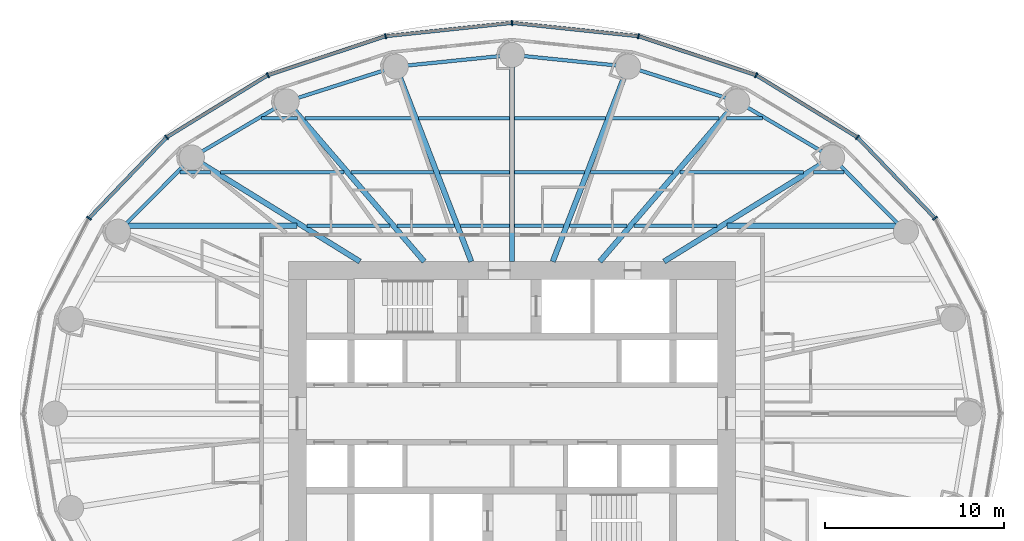
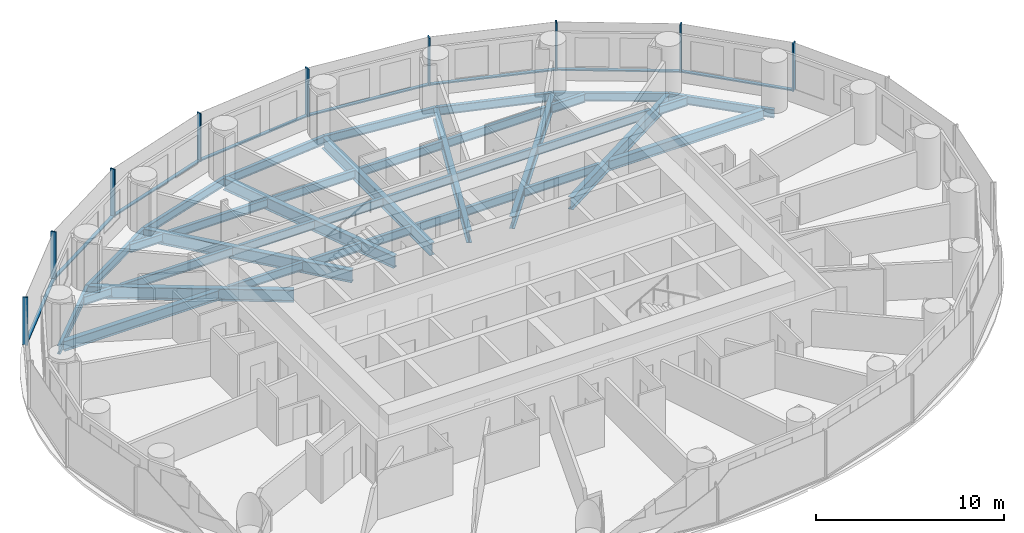
# One storey, part 4 of 14: 37 beams, 17 members, 2 elements without a shape of their own.
"""IFC4 building model written with IfcOpenShell, lengths in metres."""

from ifc_helpers import new_model, si_unit, direction, frame, origin, origin_2d, place, context, subcontext, project, spatial, rectangle, i_section, extrude, material, material_profile, profile_set, type_object, element, aggregate, save


model = new_model("IFC4")

# Units and contexts
model_context = context("Model", 3, precision=1e-05, world=origin(), true_north=direction((0.0, 1.0)))
body_context = subcontext(model_context, "Body", "Model", "MODEL_VIEW")
ifc_project = project(units=[si_unit("LENGTHUNIT", "METRE"), si_unit("AREAUNIT", "SQUARE_METRE"), si_unit("VOLUMEUNIT", "CUBIC_METRE"), si_unit("PLANEANGLEUNIT", "RADIAN"), si_unit("MASSUNIT", "GRAM", prefix="KILO")], contexts=[model_context])

# Site, building, storey
site_placement = place(None, origin())
site = spatial("IfcSite", under=ifc_project, at=site_placement, CompositionType="ELEMENT")
building_placement = place(site_placement, origin())
building = spatial("IfcBuilding", under=site, at=building_placement, Name="Hankou Lantern Tower", CompositionType="ELEMENT")
storey_placement = place(building_placement, frame((0.0, 0.0, 67.199951171875)))
storey = spatial("IfcBuildingStorey", under=building, at=storey_placement, Name="L16", CompositionType="ELEMENT", Elevation=67.199951171875)

# Beams
ifc_material_1 = material(Name="Steel Q355B", Category="steel")
ifc_material_profile_1 = material_profile(ifc_material_1, i_section(OverallWidth=0.199951171875, OverallDepth=0.550048828125, WebThickness=0.010009765625, FlangeThickness=0.01611328125, FilletRadius=0.012939453125, at=origin_2d()), Name="HN550x200x10x16")
ifc_profile_set_1 = profile_set([ifc_material_profile_1], Name="Steel Q355B")
beam_type_1 = type_object("IfcBeamType", Name="EB6 RING BEAM HN550x200x10x16", PredefinedType="SPANDREL", material=ifc_profile_set_1)
beam_1_placement = place(storey_placement, frame((22.01904296875, 10.170166015625, -0.454833984375), z_axis=(-0.705727798394, 0.708483079949, 0.0), x_axis=(-0.708483079949, -0.705727798394, 0.0)))
element("IfcBeam", 1, at=beam_1_placement, inside=storey, type_object=beam_type_1, Name="Ring beam R03-R04 L16", PredefinedType="SPANDREL", context=body_context, shape_type="SweptSolid", body=[
    extrude(i_section(OverallWidth=0.199951171875, OverallDepth=0.550048828125, WebThickness=0.010009765625, FlangeThickness=0.01611328125, FilletRadius=0.012939453125, at=origin_2d()), origin(), (0.0, 0.0, 1.0), 5.84814453125),
])
beam_2_placement = place(storey_placement, frame((17.891845703125, 14.3134765625, -0.454833984375), z_axis=(-0.860881533543, 0.508805449268, 0.0), x_axis=(-0.508805449268, -0.860881533543, 0.0)))
element("IfcBeam", 2, at=beam_2_placement, inside=storey, type_object=beam_type_1, Name="Ring beam R04-R05 L16", PredefinedType="SPANDREL", context=body_context, shape_type="SweptSolid", body=[
    extrude(i_section(OverallWidth=0.199951171875, OverallDepth=0.550048828125, WebThickness=0.010009765625, FlangeThickness=0.01611328125, FilletRadius=0.012939453125, at=origin_2d()), origin(), (0.0, 0.0, 1.0), 6.15771484375),
])
beam_3_placement = place(storey_placement, frame((12.5908203125, 17.446533203125, -0.454833984375), z_axis=(-0.952690479428, 0.303942182671, 0.0), x_axis=(-0.303942182671, -0.952690479428, 0.0)))
element("IfcBeam", 3, at=beam_3_placement, inside=storey, type_object=beam_type_1, Name="Ring beam R05-R06 L16", PredefinedType="SPANDREL", context=body_context, shape_type="SweptSolid", body=[
    extrude(i_section(OverallWidth=0.199951171875, OverallDepth=0.550048828125, WebThickness=0.010009765625, FlangeThickness=0.01611328125, FilletRadius=0.012939453125, at=origin_2d()), origin(), (0.0, 0.0, 1.0), 6.398681640625),
])
for number, where, z_axis, x_axis, name in (
    (4, (6.494873046875, 19.391357421875, -0.454833984375), (-0.994896616842, 0.100899562915, 0.0), (-0.100899562915, -0.994896616842, 0.0), "Ring beam R06-R07 L16"),
    (5, (0.0, 20.050048828125, -0.454833984375), (-0.994896616842, -0.100899562915, 0.0), (0.100899562915, -0.994896616842, 0.0), "Ring beam R07-R08 L16"),
):
    element("IfcBeam", number, at=place(storey_placement, frame(where, z_axis=z_axis, x_axis=x_axis)), inside=storey, type_object=beam_type_1, Name=name, PredefinedType="SPANDREL", context=body_context, shape_type="SweptSolid", body=[
        extrude(i_section(OverallWidth=0.199951171875, OverallDepth=0.550048828125, WebThickness=0.010009765625, FlangeThickness=0.01611328125, FilletRadius=0.012939453125, at=origin_2d()), origin(), (0.0, 0.0, 1.0), 6.528076171875),
    ])
beam_4_placement = place(storey_placement, frame((-6.494873046875, 19.391357421875, -0.454833984375), z_axis=(-0.952690479428, -0.303942182671, 0.0), x_axis=(0.303942182671, -0.952690479428, 0.0)))
element("IfcBeam", 6, at=beam_4_placement, inside=storey, type_object=beam_type_1, Name="Ring beam R08-R09 L16", PredefinedType="SPANDREL", context=body_context, shape_type="SweptSolid", body=[
    extrude(i_section(OverallWidth=0.199951171875, OverallDepth=0.550048828125, WebThickness=0.010009765625, FlangeThickness=0.01611328125, FilletRadius=0.012939453125, at=origin_2d()), origin(), (0.0, 0.0, 1.0), 6.398681640625),
])
beam_5_placement = place(storey_placement, frame((-12.5908203125, 17.446533203125, -0.454833984375), z_axis=(-0.860881533543, -0.508805449268, 0.0), x_axis=(0.508805449268, -0.860881533543, 0.0)))
element("IfcBeam", 7, at=beam_5_placement, inside=storey, type_object=beam_type_1, Name="Ring beam R09-R10 L16", PredefinedType="SPANDREL", context=body_context, shape_type="SweptSolid", body=[
    extrude(i_section(OverallWidth=0.199951171875, OverallDepth=0.550048828125, WebThickness=0.010009765625, FlangeThickness=0.01611328125, FilletRadius=0.012939453125, at=origin_2d()), origin(), (0.0, 0.0, 1.0), 6.15771484375),
])
beam_6_placement = place(storey_placement, frame((-17.891845703125, 14.3134765625, -0.454833984375), z_axis=(-0.705727798394, -0.708483079949, 0.0), x_axis=(0.708483079949, -0.705727798394, 0.0)))
element("IfcBeam", 8, at=beam_6_placement, inside=storey, type_object=beam_type_1, Name="Ring beam R10-R11 L16", PredefinedType="SPANDREL", context=body_context, shape_type="SweptSolid", body=[
    extrude(i_section(OverallWidth=0.199951171875, OverallDepth=0.550048828125, WebThickness=0.010009765625, FlangeThickness=0.01611328125, FilletRadius=0.012939453125, at=origin_2d()), origin(), (0.0, 0.0, 1.0), 5.84814453125),
])

# Curtain wall, members
ifc_material_2 = material(Name="Glass, dark grey tinted laminated", Category="glass")
curtain_wall_type = type_object("IfcCurtainWallType", Name="CWA OUTER SKIN LOW-RISE", PredefinedType="USERDEFINED", material=ifc_material_2)
curtain_wall_1_placement = place(storey_placement, origin())
curtain_wall_1 = element("IfcCurtainWall", 9, at=curtain_wall_1_placement, inside=storey, type_object=curtain_wall_type, Name="CWA L16 OS1", ObjectType="OUTER SKIN LOW-RISE", PredefinedType="USERDEFINED")
ifc_material_3 = material(Name="Aluminium, black anodised", Category="aluminium")
ifc_material_profile_2 = material_profile(ifc_material_3, rectangle(XDim=0.080078125, YDim=0.300048828125, at=origin_2d()), Name="MU1 80X300")
ifc_profile_set_2 = profile_set([ifc_material_profile_2], Name="Aluminium, black anodised")
member_type_1 = type_object("IfcMemberType", Name="MU1 OUTER SKIN MULLION 80X300", PredefinedType="MULLION", material=ifc_profile_set_2)
member_1_placement = place(storey_placement, frame((23.642578125, 10.919921875, 0.0), z_axis=(0.0, 0.0, 1.0), x_axis=(-0.585205735974, 0.810884854084, 0.0)))
member_1 = element("IfcMember", 10, at=member_1_placement, type_object=member_type_1, Name="CWA mullion 3", PredefinedType="MULLION", context=body_context, shape_type="SweptSolid", body=[
    extrude(rectangle(XDim=0.080078125, YDim=0.300048828125, at=origin_2d()), origin(), (0.0, 0.0, 1.0), 3.1201171875),
])
member_2_placement = place(storey_placement, frame((19.303955078125, 15.443115234375, 0.0), z_axis=(0.0, 0.0, 1.0), x_axis=(-0.780868809444, 0.624695047553, 0.0)))
member_2 = element("IfcMember", 11, at=member_2_placement, type_object=member_type_1, Name="CWA mullion 4", PredefinedType="MULLION", context=body_context, shape_type="SweptSolid", body=[
    extrude(rectangle(XDim=0.080078125, YDim=0.300048828125, at=origin_2d()), origin(), (0.0, 0.0, 1.0), 3.1201171875),
])
member_3_placement = place(storey_placement, frame((13.64990234375, 18.9140625, 0.0), z_axis=(0.0, 0.0, 1.0), x_axis=(-0.907841299004, 0.419313934686, 0.0)))
member_3 = element("IfcMember", 12, at=member_3_placement, type_object=member_type_1, Name="CWA mullion 5", PredefinedType="MULLION", context=body_context, shape_type="SweptSolid", body=[
    extrude(rectangle(XDim=0.080078125, YDim=0.300048828125, at=origin_2d()), origin(), (0.0, 0.0, 1.0), 3.1201171875),
])
member_4_placement = place(storey_placement, frame((7.065673828125, 21.095703125, 0.0), z_axis=(0.0, 0.0, 1.0), x_axis=(-0.977787659625, 0.209597931016, 0.0)))
member_4 = element("IfcMember", 13, at=member_4_placement, type_object=member_type_1, Name="CWA mullion 6", PredefinedType="MULLION", context=body_context, shape_type="SweptSolid", body=[
    extrude(rectangle(XDim=0.080078125, YDim=0.300048828125, at=origin_2d()), origin(), (0.0, 0.0, 1.0), 3.1201171875),
])

curtain_wall_2_placement = place(storey_placement, origin())
curtain_wall_2 = element("IfcCurtainWall", 14, at=curtain_wall_2_placement, inside=storey, type_object=curtain_wall_type, Name="CWA L16 OS2", ObjectType="OUTER SKIN LOW-RISE", PredefinedType="USERDEFINED")
member_5_placement = place(storey_placement, frame((0.0, 21.840087890625, 0.0), z_axis=(0.0, 0.0, 1.0), x_axis=(-0.994499359107, -0.104742659579, 0.0)))
member_5 = element("IfcMember", 15, at=member_5_placement, type_object=member_type_1, Name="CWA mullion 1", PredefinedType="MULLION", context=body_context, shape_type="SweptSolid", body=[
    extrude(rectangle(XDim=0.080078125, YDim=0.300048828125, at=origin_2d()), origin(), (0.0, 0.0, 1.0), 3.1201171875),
])
member_6_placement = place(storey_placement, frame((-7.065673828125, 21.095703125, 0.0), z_axis=(0.0, 0.0, 1.0), x_axis=(-0.977787659625, -0.209597931016, 0.0)))
member_6 = element("IfcMember", 16, at=member_6_placement, type_object=member_type_1, Name="CWA mullion 2", PredefinedType="MULLION", context=body_context, shape_type="SweptSolid", body=[
    extrude(rectangle(XDim=0.080078125, YDim=0.300048828125, at=origin_2d()), origin(), (0.0, 0.0, 1.0), 3.1201171875),
])
member_7_placement = place(storey_placement, frame((-13.64990234375, 18.9140625, 0.0), z_axis=(0.0, 0.0, 1.0), x_axis=(-0.907841299004, -0.419313934686, 0.0)))
member_7 = element("IfcMember", 17, at=member_7_placement, type_object=member_type_1, Name="CWA mullion 3", PredefinedType="MULLION", context=body_context, shape_type="SweptSolid", body=[
    extrude(rectangle(XDim=0.080078125, YDim=0.300048828125, at=origin_2d()), origin(), (0.0, 0.0, 1.0), 3.1201171875),
])
member_8_placement = place(storey_placement, frame((-19.303955078125, 15.443115234375, 0.0), z_axis=(0.0, 0.0, 1.0), x_axis=(-0.780868809444, -0.624695047553, 0.0)))
member_8 = element("IfcMember", 18, at=member_8_placement, type_object=member_type_1, Name="CWA mullion 4", PredefinedType="MULLION", context=body_context, shape_type="SweptSolid", body=[
    extrude(rectangle(XDim=0.080078125, YDim=0.300048828125, at=origin_2d()), origin(), (0.0, 0.0, 1.0), 3.1201171875),
])
member_9_placement = place(storey_placement, frame((-23.642578125, 10.919921875, 0.0), z_axis=(0.0, 0.0, 1.0), x_axis=(-0.585205735974, -0.810884854084, 0.0)))
member_9 = element("IfcMember", 19, at=member_9_placement, type_object=member_type_1, Name="CWA mullion 5", PredefinedType="MULLION", context=body_context, shape_type="SweptSolid", body=[
    extrude(rectangle(XDim=0.080078125, YDim=0.300048828125, at=origin_2d()), origin(), (0.0, 0.0, 1.0), 3.1201171875),
])

# Beams
ifc_material_4 = material(Name="Steel Q355B", Category="steel")
ifc_material_profile_3 = material_profile(ifc_material_4, i_section(OverallWidth=0.300048828125, OverallDepth=0.800048828125, WebThickness=0.013916015625, FlangeThickness=0.02587890625, FilletRadius=0.01806640625, at=origin_2d()), Name="HN800x300x14x26")
ifc_profile_set_3 = profile_set([ifc_material_profile_3], Name="Steel Q355B")
beam_type_2 = type_object("IfcBeamType", Name="RB11 RADIAL BEAM HN800x300x14x26", PredefinedType="BEAM", material=ifc_profile_set_3)
beam_7_placement = place(storey_placement, frame((8.5, 8.5, -0.579833984375), z_axis=(0.850286343288, 0.526320372414, 0.0), x_axis=(-0.526320372414, 0.850286343288, 0.0)))
element("IfcBeam", 20, at=beam_7_placement, inside=storey, type_object=beam_type_2, Name="Radial beam R04 L16", PredefinedType="BEAM", context=body_context, shape_type="SweptSolid", body=[
    extrude(i_section(OverallWidth=0.300048828125, OverallDepth=0.800048828125, WebThickness=0.013916015625, FlangeThickness=0.02587890625, FilletRadius=0.01806640625, at=origin_2d()), origin(), (0.0, 0.0, 1.0), 11.04541015625),
])
beam_8_placement = place(storey_placement, frame((4.907470703125, 8.5, -0.579833984375), z_axis=(0.651519061225, 0.758632264579, 0.0), x_axis=(-0.758632264579, 0.651519061225, 0.0)))
element("IfcBeam", 21, at=beam_8_placement, inside=storey, type_object=beam_type_2, Name="Radial beam R05 L16", PredefinedType="BEAM", context=body_context, shape_type="SweptSolid", body=[
    extrude(i_section(OverallWidth=0.300048828125, OverallDepth=0.800048828125, WebThickness=0.013916015625, FlangeThickness=0.02587890625, FilletRadius=0.01806640625, at=origin_2d()), origin(), (0.0, 0.0, 1.0), 11.79296875),
])
beam_9_placement = place(storey_placement, frame((2.277587890625, 8.5, -0.579833984375), z_axis=(0.361089103374, 0.932531318201, 0.0), x_axis=(-0.932531318201, 0.361089103374, 0.0)))
element("IfcBeam", 22, at=beam_9_placement, inside=storey, type_object=beam_type_2, Name="Radial beam R06 L16", PredefinedType="BEAM", context=body_context, shape_type="SweptSolid", body=[
    extrude(i_section(OverallWidth=0.300048828125, OverallDepth=0.800048828125, WebThickness=0.013916015625, FlangeThickness=0.02587890625, FilletRadius=0.01806640625, at=origin_2d()), origin(), (0.0, 0.0, 1.0), 11.679443359375),
])
beam_10_placement = place(storey_placement, frame((0.0, 8.5, -0.579833984375), z_axis=(0.0, 1.0, 0.0), x_axis=(-1.0, 0.0, 0.0)))
element("IfcBeam", 23, at=beam_10_placement, inside=storey, type_object=beam_type_2, Name="Radial beam R07 L16", PredefinedType="BEAM", context=body_context, shape_type="SweptSolid", body=[
    extrude(i_section(OverallWidth=0.300048828125, OverallDepth=0.800048828125, WebThickness=0.013916015625, FlangeThickness=0.02587890625, FilletRadius=0.01806640625, at=origin_2d()), origin(), (0.0, 0.0, 1.0), 11.550048828125),
])
beam_11_placement = place(storey_placement, frame((-2.277587890625, 8.5, -0.579833984375), z_axis=(-0.361089103374, 0.932531318201, 0.0), x_axis=(-0.932531318201, -0.361089103374, 0.0)))
element("IfcBeam", 24, at=beam_11_placement, inside=storey, type_object=beam_type_2, Name="Radial beam R08 L16", PredefinedType="BEAM", context=body_context, shape_type="SweptSolid", body=[
    extrude(i_section(OverallWidth=0.300048828125, OverallDepth=0.800048828125, WebThickness=0.013916015625, FlangeThickness=0.02587890625, FilletRadius=0.01806640625, at=origin_2d()), origin(), (0.0, 0.0, 1.0), 11.679443359375),
])
beam_12_placement = place(storey_placement, frame((-4.907470703125, 8.5, -0.579833984375), z_axis=(-0.651519061225, 0.758632264579, 0.0), x_axis=(-0.758632264579, -0.651519061225, 0.0)))
element("IfcBeam", 25, at=beam_12_placement, inside=storey, type_object=beam_type_2, Name="Radial beam R09 L16", PredefinedType="BEAM", context=body_context, shape_type="SweptSolid", body=[
    extrude(i_section(OverallWidth=0.300048828125, OverallDepth=0.800048828125, WebThickness=0.013916015625, FlangeThickness=0.02587890625, FilletRadius=0.01806640625, at=origin_2d()), origin(), (0.0, 0.0, 1.0), 11.79296875),
])
beam_13_placement = place(storey_placement, frame((-8.5, 8.5, -0.579833984375), z_axis=(-0.850286343288, 0.526320372414, 0.0), x_axis=(-0.526320372414, -0.850286343288, 0.0)))
element("IfcBeam", 26, at=beam_13_placement, inside=storey, type_object=beam_type_2, Name="Radial beam R10 L16", PredefinedType="BEAM", context=body_context, shape_type="SweptSolid", body=[
    extrude(i_section(OverallWidth=0.300048828125, OverallDepth=0.800048828125, WebThickness=0.013916015625, FlangeThickness=0.02587890625, FilletRadius=0.01806640625, at=origin_2d()), origin(), (0.0, 0.0, 1.0), 11.04541015625),
])
ifc_material_5 = material(Name="Steel Q355B", Category="steel")
ifc_material_profile_4 = material_profile(ifc_material_5, i_section(OverallWidth=0.199951171875, OverallDepth=0.550048828125, WebThickness=0.010009765625, FlangeThickness=0.01611328125, FilletRadius=0.012939453125, at=origin_2d()), Name="HN550x200x10x16")
ifc_profile_set_4 = profile_set([ifc_material_profile_4], Name="Steel Q355B")
beam_type_3 = type_object("IfcBeamType", Name="SB6 SECONDARY BEAM HN550x200x10x16", PredefinedType="JOIST", material=ifc_profile_set_4)
beam_14_placement = place(storey_placement, frame((-11.446044921875, 10.5, -0.454833984375), z_axis=(1.0, 0.0, 0.0), x_axis=(0.0, 1.0, 0.0)))
element("IfcBeam", 27, at=beam_14_placement, inside=storey, type_object=beam_type_3, Name="Floor joist J040 L16", PredefinedType="JOIST", context=body_context, shape_type="SweptSolid", body=[
    extrude(i_section(OverallWidth=0.199951171875, OverallDepth=0.550048828125, WebThickness=0.010009765625, FlangeThickness=0.01611328125, FilletRadius=0.012939453125, at=origin_2d()), origin(), (0.0, 0.0, 1.0), 4.623291015625),
])
beam_15_placement = place(storey_placement, frame((-6.427490234375, 10.5, -0.454833984375), z_axis=(1.0, 0.0, 0.0), x_axis=(0.0, 1.0, 0.0)))
element("IfcBeam", 28, at=beam_15_placement, inside=storey, type_object=beam_type_3, Name="Floor joist J041 L16", PredefinedType="JOIST", context=body_context, shape_type="SweptSolid", body=[
    extrude(i_section(OverallWidth=0.199951171875, OverallDepth=0.550048828125, WebThickness=0.010009765625, FlangeThickness=0.01611328125, FilletRadius=0.012939453125, at=origin_2d()), origin(), (0.0, 0.0, 1.0), 3.214599609375),
])
for number, where, z_axis, x_axis, name in (
    (29, (-2.89111328125, 10.5, -0.454833984375), (1.0, 0.0, 0.0), (0.0, 1.0, 0.0), "Floor joist J042 L16"),
    (30, (0.14990234375, 10.5, -0.454833984375), (1.0, 0.0, 0.0), (0.0, 1.0, 0.0), "Floor joist J043 L16"),
):
    element("IfcBeam", number, at=place(storey_placement, frame(where, z_axis=z_axis, x_axis=x_axis)), inside=storey, type_object=beam_type_3, Name=name, PredefinedType="JOIST", context=body_context, shape_type="SweptSolid", body=[
        extrude(i_section(OverallWidth=0.199951171875, OverallDepth=0.550048828125, WebThickness=0.010009765625, FlangeThickness=0.01611328125, FilletRadius=0.012939453125, at=origin_2d()), origin(), (0.0, 0.0, 1.0), 2.7412109375),
    ])
beam_16_placement = place(storey_placement, frame((3.212890625, 10.5, -0.454833984375), z_axis=(1.0, 0.0, 0.0), x_axis=(0.0, 1.0, 0.0)))
element("IfcBeam", 31, at=beam_16_placement, inside=storey, type_object=beam_type_3, Name="Floor joist J044 L16", PredefinedType="JOIST", context=body_context, shape_type="SweptSolid", body=[
    extrude(i_section(OverallWidth=0.199951171875, OverallDepth=0.550048828125, WebThickness=0.010009765625, FlangeThickness=0.01611328125, FilletRadius=0.012939453125, at=origin_2d()), origin(), (0.0, 0.0, 1.0), 3.214599609375),
])
beam_17_placement = place(storey_placement, frame((6.82275390625, 10.5, -0.454833984375), z_axis=(1.0, 0.0, 0.0), x_axis=(0.0, 1.0, 0.0)))
element("IfcBeam", 32, at=beam_17_placement, inside=storey, type_object=beam_type_3, Name="Floor joist J045 L16", PredefinedType="JOIST", context=body_context, shape_type="SweptSolid", body=[
    extrude(i_section(OverallWidth=0.199951171875, OverallDepth=0.550048828125, WebThickness=0.010009765625, FlangeThickness=0.01611328125, FilletRadius=0.012939453125, at=origin_2d()), origin(), (0.0, 0.0, 1.0), 4.623291015625),
])
beam_18_placement = place(storey_placement, frame((-18.560791015625, 13.5, -0.454833984375), z_axis=(1.0, 0.0, 0.0), x_axis=(0.0, 1.0, 0.0)))
element("IfcBeam", 33, at=beam_18_placement, inside=storey, type_object=beam_type_3, Name="Floor joist J047 L16", PredefinedType="JOIST", context=body_context, shape_type="SweptSolid", body=[
    extrude(i_section(OverallWidth=0.199951171875, OverallDepth=0.550048828125, WebThickness=0.010009765625, FlangeThickness=0.01611328125, FilletRadius=0.012939453125, at=origin_2d()), origin(), (0.0, 0.0, 1.0), 1.697998046875),
])
beam_19_placement = place(storey_placement, frame((-16.292724609375, 13.5, -0.454833984375), z_axis=(1.0, 0.0, 0.0), x_axis=(0.0, 1.0, 0.0)))
element("IfcBeam", 34, at=beam_19_placement, inside=storey, type_object=beam_type_3, Name="Floor joist J048 L16", PredefinedType="JOIST", context=body_context, shape_type="SweptSolid", body=[
    extrude(i_section(OverallWidth=0.199951171875, OverallDepth=0.550048828125, WebThickness=0.010009765625, FlangeThickness=0.01611328125, FilletRadius=0.012939453125, at=origin_2d()), origin(), (0.0, 0.0, 1.0), 6.893310546875),
])
beam_20_placement = place(storey_placement, frame((-9.00390625, 13.5, -0.454833984375), z_axis=(1.0, 0.0, 0.0), x_axis=(0.0, 1.0, 0.0)))
element("IfcBeam", 35, at=beam_20_placement, inside=storey, type_object=beam_type_3, Name="Floor joist J049 L16", PredefinedType="JOIST", context=body_context, shape_type="SweptSolid", body=[
    extrude(i_section(OverallWidth=0.199951171875, OverallDepth=0.550048828125, WebThickness=0.010009765625, FlangeThickness=0.01611328125, FilletRadius=0.012939453125, at=origin_2d()), origin(), (0.0, 0.0, 1.0), 4.62939453125),
])
for number, where, z_axis, x_axis, name in (
    (36, (-4.052734375, 13.5, -0.454833984375), (1.0, 0.0, 0.0), (0.0, 1.0, 0.0), "Floor joist J050 L16"),
    (37, (0.14990234375, 13.5, -0.454833984375), (1.0, 0.0, 0.0), (0.0, 1.0, 0.0), "Floor joist J051 L16"),
):
    element("IfcBeam", number, at=place(storey_placement, frame(where, z_axis=z_axis, x_axis=x_axis)), inside=storey, type_object=beam_type_3, Name=name, PredefinedType="JOIST", context=body_context, shape_type="SweptSolid", body=[
        extrude(i_section(OverallWidth=0.199951171875, OverallDepth=0.550048828125, WebThickness=0.010009765625, FlangeThickness=0.01611328125, FilletRadius=0.012939453125, at=origin_2d()), origin(), (0.0, 0.0, 1.0), 3.90283203125),
    ])
beam_21_placement = place(storey_placement, frame((4.37451171875, 13.5, -0.454833984375), z_axis=(1.0, 0.0, 0.0), x_axis=(0.0, 1.0, 0.0)))
element("IfcBeam", 38, at=beam_21_placement, inside=storey, type_object=beam_type_3, Name="Floor joist J052 L16", PredefinedType="JOIST", context=body_context, shape_type="SweptSolid", body=[
    extrude(i_section(OverallWidth=0.199951171875, OverallDepth=0.550048828125, WebThickness=0.010009765625, FlangeThickness=0.01611328125, FilletRadius=0.012939453125, at=origin_2d()), origin(), (0.0, 0.0, 1.0), 4.62939453125),
])
beam_22_placement = place(storey_placement, frame((9.3994140625, 13.5, -0.454833984375), z_axis=(1.0, 0.0, 0.0), x_axis=(0.0, 1.0, 0.0)))
element("IfcBeam", 39, at=beam_22_placement, inside=storey, type_object=beam_type_3, Name="Floor joist J053 L16", PredefinedType="JOIST", context=body_context, shape_type="SweptSolid", body=[
    extrude(i_section(OverallWidth=0.199951171875, OverallDepth=0.550048828125, WebThickness=0.010009765625, FlangeThickness=0.01611328125, FilletRadius=0.012939453125, at=origin_2d()), origin(), (0.0, 0.0, 1.0), 6.893310546875),
])
beam_23_placement = place(storey_placement, frame((16.86279296875, 13.5, -0.454833984375), z_axis=(1.0, 0.0, 0.0), x_axis=(0.0, 1.0, 0.0)))
element("IfcBeam", 40, at=beam_23_placement, inside=storey, type_object=beam_type_3, Name="Floor joist J054 L16", PredefinedType="JOIST", context=body_context, shape_type="SweptSolid", body=[
    extrude(i_section(OverallWidth=0.199951171875, OverallDepth=0.550048828125, WebThickness=0.010009765625, FlangeThickness=0.01611328125, FilletRadius=0.012939453125, at=origin_2d()), origin(), (0.0, 0.0, 1.0), 1.697998046875),
])
beam_24_placement = place(storey_placement, frame((-13.99560546875, 16.5, -0.454833984375), z_axis=(1.0, 0.0, 0.0), x_axis=(0.0, 1.0, 0.0)))
element("IfcBeam", 41, at=beam_24_placement, inside=storey, type_object=beam_type_3, Name="Floor joist J055 L16", PredefinedType="JOIST", context=body_context, shape_type="SweptSolid", body=[
    extrude(i_section(OverallWidth=0.199951171875, OverallDepth=0.550048828125, WebThickness=0.010009765625, FlangeThickness=0.01611328125, FilletRadius=0.012939453125, at=origin_2d()), origin(), (0.0, 0.0, 1.0), 2.019775390625),
])
beam_25_placement = place(storey_placement, frame((-11.580322265625, 16.5, -0.454833984375), z_axis=(1.0, 0.0, 0.0), x_axis=(0.0, 1.0, 0.0)))
element("IfcBeam", 42, at=beam_25_placement, inside=storey, type_object=beam_type_3, Name="Floor joist J056 L16", PredefinedType="JOIST", context=body_context, shape_type="SweptSolid", body=[
    extrude(i_section(OverallWidth=0.199951171875, OverallDepth=0.550048828125, WebThickness=0.010009765625, FlangeThickness=0.01611328125, FilletRadius=0.012939453125, at=origin_2d()), origin(), (0.0, 0.0, 1.0), 6.044189453125),
])
for number, where, z_axis, x_axis, name in (
    (43, (-5.21435546875, 16.5, -0.454833984375), (1.0, 0.0, 0.0), (0.0, 1.0, 0.0), "Floor joist J057 L16"),
    (44, (0.14990234375, 16.5, -0.454833984375), (1.0, 0.0, 0.0), (0.0, 1.0, 0.0), "Floor joist J058 L16"),
):
    element("IfcBeam", number, at=place(storey_placement, frame(where, z_axis=z_axis, x_axis=x_axis)), inside=storey, type_object=beam_type_3, Name=name, PredefinedType="JOIST", context=body_context, shape_type="SweptSolid", body=[
        extrude(i_section(OverallWidth=0.199951171875, OverallDepth=0.550048828125, WebThickness=0.010009765625, FlangeThickness=0.01611328125, FilletRadius=0.012939453125, at=origin_2d()), origin(), (0.0, 0.0, 1.0), 5.064453125),
    ])
beam_26_placement = place(storey_placement, frame((5.5361328125, 16.5, -0.454833984375), z_axis=(1.0, 0.0, 0.0), x_axis=(0.0, 1.0, 0.0)))
element("IfcBeam", 45, at=beam_26_placement, inside=storey, type_object=beam_type_3, Name="Floor joist J059 L16", PredefinedType="JOIST", context=body_context, shape_type="SweptSolid", body=[
    extrude(i_section(OverallWidth=0.199951171875, OverallDepth=0.550048828125, WebThickness=0.010009765625, FlangeThickness=0.01611328125, FilletRadius=0.012939453125, at=origin_2d()), origin(), (0.0, 0.0, 1.0), 6.044189453125),
])
beam_27_placement = place(storey_placement, frame((11.975830078125, 16.5, -0.454833984375), z_axis=(1.0, 0.0, 0.0), x_axis=(0.0, 1.0, 0.0)))
element("IfcBeam", 46, at=beam_27_placement, inside=storey, type_object=beam_type_3, Name="Floor joist J060 L16", PredefinedType="JOIST", context=body_context, shape_type="SweptSolid", body=[
    extrude(i_section(OverallWidth=0.199951171875, OverallDepth=0.550048828125, WebThickness=0.010009765625, FlangeThickness=0.01611328125, FilletRadius=0.012939453125, at=origin_2d()), origin(), (0.0, 0.0, 1.0), 2.019775390625),
])
ifc_material_6 = material(Name="Steel Q355B", Category="steel")
ifc_material_profile_5 = material_profile(ifc_material_6, i_section(OverallWidth=0.300048828125, OverallDepth=0.64990234375, WebThickness=0.010986328125, FlangeThickness=0.01708984375, FilletRadius=0.01806640625, at=origin_2d()), Name="HN650x300x11x17")
ifc_profile_set_5 = profile_set([ifc_material_profile_5], Name="Steel Q355B")
beam_type_4 = type_object("IfcBeamType", Name="SB8 SECONDARY BEAM HN650x300x11x17", PredefinedType="JOIST", material=ifc_profile_set_5)
for number, where, z_axis, x_axis, name in (
    (47, (-21.54931640625, 10.5, -0.5048828125), (1.0, 0.0, 0.0), (0.0, 1.0, 0.0), "Floor joist J039 L16"),
    (48, (12.01611328125, 10.5, -0.5048828125), (1.0, 0.0, 0.0), (0.0, 1.0, 0.0), "Floor joist J046 L16"),
):
    element("IfcBeam", number, at=place(storey_placement, frame(where, z_axis=z_axis, x_axis=x_axis)), inside=storey, type_object=beam_type_4, Name=name, PredefinedType="JOIST", context=body_context, shape_type="SweptSolid", body=[
        extrude(i_section(OverallWidth=0.300048828125, OverallDepth=0.64990234375, WebThickness=0.010986328125, FlangeThickness=0.01708984375, FilletRadius=0.01806640625, at=origin_2d()), origin(), (0.0, 0.0, 1.0), 9.533203125),
    ])

# Member
ifc_material_7 = material(Name="Aluminium, black anodised", Category="aluminium")
ifc_material_profile_6 = material_profile(ifc_material_7, rectangle(XDim=0.199951171875, YDim=0.080078125, at=origin_2d()), Name="TR1 200X80")
ifc_profile_set_6 = profile_set([ifc_material_profile_6], Name="Aluminium, black anodised")
member_type_2 = type_object("IfcMemberType", Name="TR1 OUTER SKIN TRANSOM 200X80", PredefinedType="USERDEFINED", material=ifc_profile_set_6)
member_10_placement = place(storey_placement, frame((23.61474609375, 10.948974609375, 0.0400390625), z_axis=(-0.692215537374, 0.721690827029, 0.0), x_axis=(-0.721690827029, -0.692215537374, 0.0)))
member_10 = element("IfcMember", 49, at=member_10_placement, type_object=member_type_2, Name="CWA transom 3", ObjectType="TRANSOM", PredefinedType="USERDEFINED", context=body_context, shape_type="SweptSolid", body=[
    extrude(rectangle(XDim=0.199951171875, YDim=0.080078125, at=origin_2d()), origin(), (0.0, 0.0, 1.0), 6.187255859375),
])

member_11_placement = place(storey_placement, frame((19.27001953125, 15.464111328125, 0.0400390625), z_axis=(-0.85223969557, 0.523151508929, 0.0), x_axis=(-0.523151508929, -0.85223969557, 0.0)))
member_11 = element("IfcMember", 50, at=member_11_placement, type_object=member_type_2, Name="CWA transom 4", ObjectType="TRANSOM", PredefinedType="USERDEFINED", context=body_context, shape_type="SweptSolid", body=[
    extrude(rectangle(XDim=0.199951171875, YDim=0.080078125, at=origin_2d()), origin(), (0.0, 0.0, 1.0), 6.554443359375),
])

member_12_placement = place(storey_placement, frame((13.612060546875, 18.926513671875, 0.0400390625), z_axis=(-0.949237318771, 0.314560825044, 0.0), x_axis=(-0.314560825044, -0.949237318771, 0.0)))
member_12 = element("IfcMember", 51, at=member_12_placement, type_object=member_type_2, Name="CWA transom 5", ObjectType="TRANSOM", PredefinedType="USERDEFINED", context=body_context, shape_type="SweptSolid", body=[
    extrude(rectangle(XDim=0.199951171875, YDim=0.080078125, at=origin_2d()), origin(), (0.0, 0.0, 1.0), 6.8564453125),
])

member_13_placement = place(storey_placement, frame((7.02587890625, 21.10009765625, 0.0400390625), z_axis=(-0.994502215033, 0.104715539888, 0.0), x_axis=(-0.104715539888, -0.994502215033, 0.0)))
member_13 = element("IfcMember", 52, at=member_13_placement, type_object=member_type_2, Name="CWA transom 6", ObjectType="TRANSOM", PredefinedType="USERDEFINED", context=body_context, shape_type="SweptSolid", body=[
    extrude(rectangle(XDim=0.199951171875, YDim=0.080078125, at=origin_2d()), origin(), (0.0, 0.0, 1.0), 7.024658203125),
])

aggregate(curtain_wall_1, [member_1, member_2, member_3, member_4, member_10, member_11, member_12, member_13])

member_14_placement = place(storey_placement, frame((-0.039794921875, 21.835693359375, 0.0400390625), z_axis=(-0.994502215033, -0.104715539888, 0.0), x_axis=(0.104715539888, -0.994502215033, 0.0)))
member_14 = element("IfcMember", 53, at=member_14_placement, type_object=member_type_2, Name="CWA transom 1", ObjectType="TRANSOM", PredefinedType="USERDEFINED", context=body_context, shape_type="SweptSolid", body=[
    extrude(rectangle(XDim=0.199951171875, YDim=0.080078125, at=origin_2d()), origin(), (0.0, 0.0, 1.0), 7.024658203125),
])

member_15_placement = place(storey_placement, frame((-7.103759765625, 21.083251953125, 0.0400390625), z_axis=(-0.949237318771, -0.314560825044, 0.0), x_axis=(0.314560825044, -0.949237318771, 0.0)))
member_15 = element("IfcMember", 54, at=member_15_placement, type_object=member_type_2, Name="CWA transom 2", ObjectType="TRANSOM", PredefinedType="USERDEFINED", context=body_context, shape_type="SweptSolid", body=[
    extrude(rectangle(XDim=0.199951171875, YDim=0.080078125, at=origin_2d()), origin(), (0.0, 0.0, 1.0), 6.8564453125),
])

member_16_placement = place(storey_placement, frame((-13.68408203125, 18.89306640625, 0.0400390625), z_axis=(-0.85223969557, -0.523151508929, 0.0), x_axis=(0.523151508929, -0.85223969557, 0.0)))
member_16 = element("IfcMember", 55, at=member_16_placement, type_object=member_type_2, Name="CWA transom 3", ObjectType="TRANSOM", PredefinedType="USERDEFINED", context=body_context, shape_type="SweptSolid", body=[
    extrude(rectangle(XDim=0.199951171875, YDim=0.080078125, at=origin_2d()), origin(), (0.0, 0.0, 1.0), 6.554443359375),
])

member_17_placement = place(storey_placement, frame((-19.331787109375, 15.414306640625, 0.0400390625), z_axis=(-0.692215537374, -0.721690827029, 0.0), x_axis=(0.721690827029, -0.692215537374, 0.0)))
member_17 = element("IfcMember", 56, at=member_17_placement, type_object=member_type_2, Name="CWA transom 4", ObjectType="TRANSOM", PredefinedType="USERDEFINED", context=body_context, shape_type="SweptSolid", body=[
    extrude(rectangle(XDim=0.199951171875, YDim=0.080078125, at=origin_2d()), origin(), (0.0, 0.0, 1.0), 6.187255859375),
])

aggregate(curtain_wall_2, [member_5, member_6, member_7, member_8, member_9, member_14, member_15, member_16, member_17])

save(model, "model.ifc")
